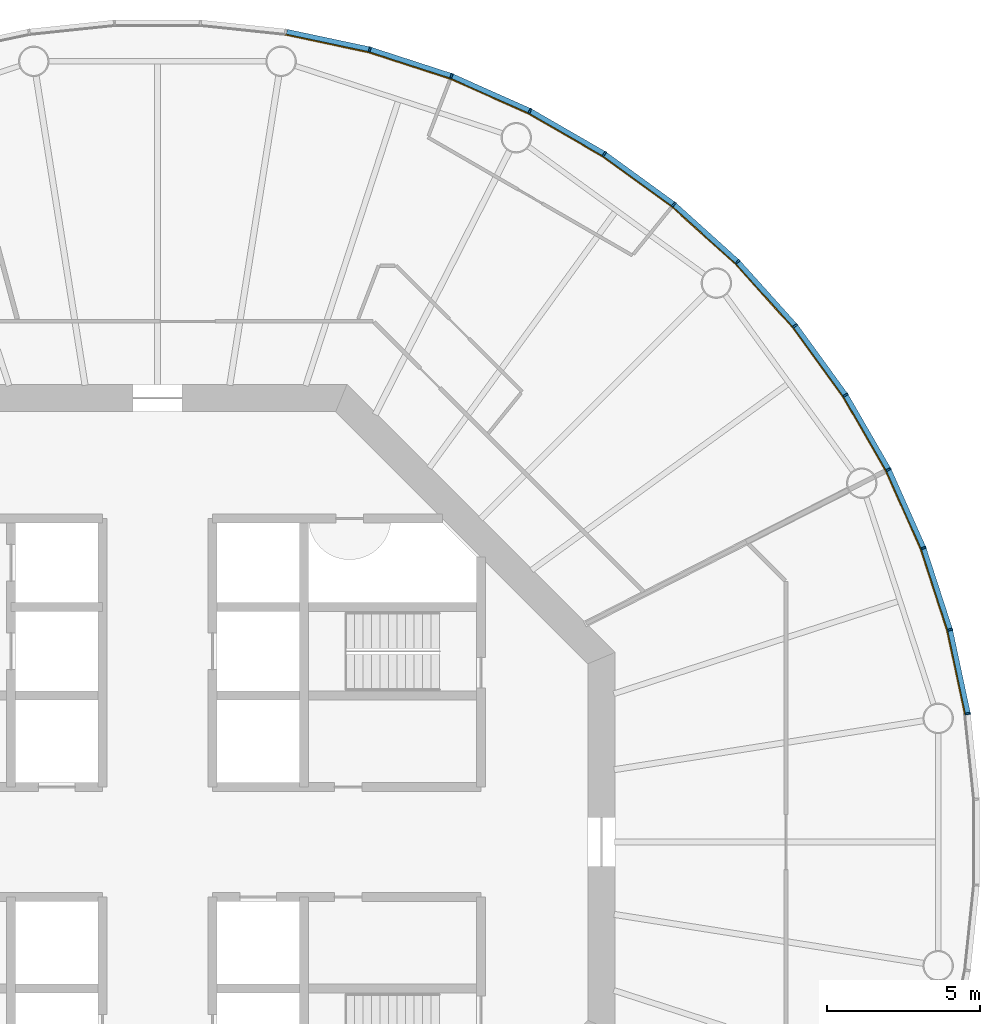
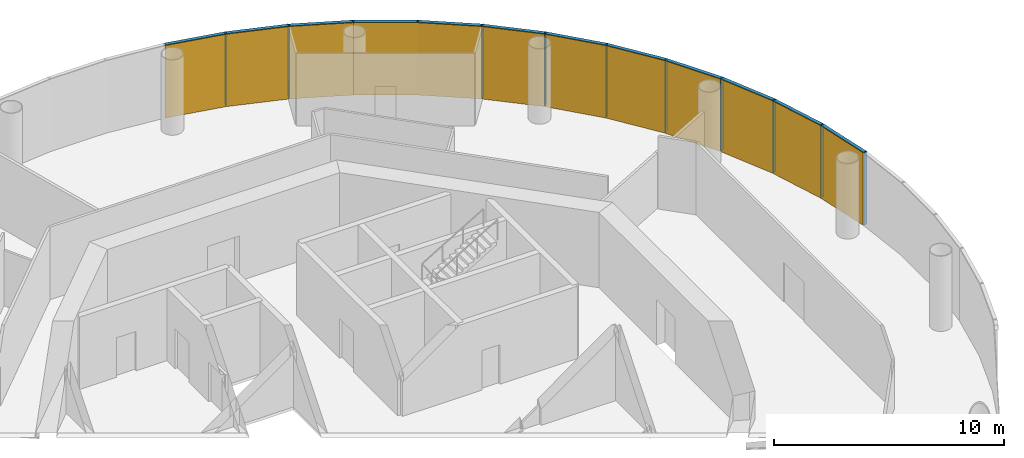
# One storey, part 11 of 12: 24 members, 4 curtain walls.
"""IFC4 building model written with IfcOpenShell, lengths in metres."""

from ifc_helpers import new_model, si_unit, direction, frame, origin, origin_2d, place, context, subcontext, project, spatial, polyline, rectangle, outline, extrude, material, layer, layer_set, material_profile, profile_set, type_object, element, aggregate, save


model = new_model("IFC4")

# Units and contexts
model_context = context("Model", 3, precision=1e-05, world=origin(), true_north=direction((0.0, 1.0)))
body_context = subcontext(model_context, "Body", "Model", "MODEL_VIEW")
ifc_project = project(units=[si_unit("LENGTHUNIT", "METRE"), si_unit("AREAUNIT", "SQUARE_METRE"), si_unit("VOLUMEUNIT", "CUBIC_METRE"), si_unit("PLANEANGLEUNIT", "RADIAN"), si_unit("MASSUNIT", "GRAM", prefix="KILO")], contexts=[model_context])

# Member
ifc_material_1 = material(Name="Anodised aluminium", Category="aluminium")
ifc_material_profile_1 = material_profile(ifc_material_1, rectangle(XDim=0.06005859375, YDim=0.169921875, at=origin_2d()), Name="Mullion 60 x 170 mm anodised aluminium")
ifc_profile_set_1 = profile_set([ifc_material_profile_1], Name="Anodised aluminium")
member_type_1 = type_object("IfcMemberType", Name="Mullion 60 x 170 mm anodised aluminium", PredefinedType="MULLION", material=ifc_profile_set_1)
site_placement = place(None, origin())
building_placement = place(site_placement, origin())
storey_placement = place(building_placement, frame((0.0, 0.0, 222.0)))
member_1_placement = place(storey_placement, frame((116.553955078125, 84.205810546875, 0.0), z_axis=(0.0, 0.0, 1.0), x_axis=(-0.15643446504, 0.987688340595, 0.0)))
member_1 = element("IfcMember", 1, at=member_1_placement, type_object=member_type_1, Name="MULLION L51-00", PredefinedType="MULLION", context=body_context, shape_type="SweptSolid", body=[
    extrude(rectangle(XDim=0.06005859375, YDim=0.169921875, at=origin_2d()), origin(), (0.0, 0.0, 1.0), 3.85009765625),
])

member_2_placement = place(storey_placement, frame((115.968994140625, 86.958251953125, 0.0), z_axis=(0.0, 0.0, 1.0), x_axis=(-0.258819045103, 0.965925826289, 0.0)))
member_2 = element("IfcMember", 2, at=member_2_placement, type_object=member_type_1, Name="MULLION L51-01", PredefinedType="MULLION", context=body_context, shape_type="SweptSolid", body=[
    extrude(rectangle(XDim=0.06005859375, YDim=0.169921875, at=origin_2d()), origin(), (0.0, 0.0, 1.0), 3.85009765625),
])

member_3_placement = place(storey_placement, frame((115.099365234375, 89.634765625, 0.0), z_axis=(0.0, 0.0, 1.0), x_axis=(-0.358367949545, 0.933580426497, 0.0)))
member_3 = element("IfcMember", 3, at=member_3_placement, type_object=member_type_1, Name="MULLION L51-02", PredefinedType="MULLION", context=body_context, shape_type="SweptSolid", body=[
    extrude(rectangle(XDim=0.06005859375, YDim=0.169921875, at=origin_2d()), origin(), (0.0, 0.0, 1.0), 3.85009765625),
])

member_4_placement = place(storey_placement, frame((113.95458984375, 92.20556640625, 0.0), z_axis=(0.0, 0.0, 1.0), x_axis=(-0.45399049974, 0.891006524188, 0.0)))
member_4 = element("IfcMember", 4, at=member_4_placement, type_object=member_type_1, Name="MULLION L51-03", PredefinedType="MULLION", context=body_context, shape_type="SweptSolid", body=[
    extrude(rectangle(XDim=0.06005859375, YDim=0.169921875, at=origin_2d()), origin(), (0.0, 0.0, 1.0), 3.85009765625),
])

member_5_placement = place(storey_placement, frame((112.547607421875, 94.642578125, 0.0), z_axis=(0.0, 0.0, 1.0), x_axis=(-0.544639035015, 0.838670567945, 0.0)))
member_5 = element("IfcMember", 5, at=member_5_placement, type_object=member_type_1, Name="MULLION L51-04", PredefinedType="MULLION", context=body_context, shape_type="SweptSolid", body=[
    extrude(rectangle(XDim=0.06005859375, YDim=0.169921875, at=origin_2d()), origin(), (0.0, 0.0, 1.0), 3.85009765625),
])

member_6_placement = place(storey_placement, frame((110.8935546875, 96.919189453125, 0.0), z_axis=(0.0, 0.0, 1.0), x_axis=(-0.62932039105, 0.777145961457, 0.0)))
member_6 = element("IfcMember", 6, at=member_6_placement, type_object=member_type_1, Name="MULLION L51-05", PredefinedType="MULLION", context=body_context, shape_type="SweptSolid", body=[
    extrude(rectangle(XDim=0.06005859375, YDim=0.169921875, at=origin_2d()), origin(), (0.0, 0.0, 1.0), 3.85009765625),
])

member_7_placement = place(storey_placement, frame((109.010498046875, 99.010498046875, 0.0), z_axis=(0.0, 0.0, 1.0), x_axis=(-0.707106781187, 0.707106781187, 0.0)))
member_7 = element("IfcMember", 7, at=member_7_placement, type_object=member_type_1, Name="MULLION L51-06", PredefinedType="MULLION", context=body_context, shape_type="SweptSolid", body=[
    extrude(rectangle(XDim=0.06005859375, YDim=0.169921875, at=origin_2d()), origin(), (0.0, 0.0, 1.0), 3.85009765625),
])

member_8_placement = place(storey_placement, frame((106.919189453125, 100.8935546875, 0.0), z_axis=(0.0, 0.0, 1.0), x_axis=(-0.777145961457, 0.62932039105, 0.0)))
member_8 = element("IfcMember", 8, at=member_8_placement, type_object=member_type_1, Name="MULLION L51-07", PredefinedType="MULLION", context=body_context, shape_type="SweptSolid", body=[
    extrude(rectangle(XDim=0.06005859375, YDim=0.169921875, at=origin_2d()), origin(), (0.0, 0.0, 1.0), 3.85009765625),
])

member_9_placement = place(storey_placement, frame((104.642578125, 102.547607421875, 0.0), z_axis=(0.0, 0.0, 1.0), x_axis=(-0.838670567945, 0.544639035015, 0.0)))
member_9 = element("IfcMember", 9, at=member_9_placement, type_object=member_type_1, Name="MULLION L51-08", PredefinedType="MULLION", context=body_context, shape_type="SweptSolid", body=[
    extrude(rectangle(XDim=0.06005859375, YDim=0.169921875, at=origin_2d()), origin(), (0.0, 0.0, 1.0), 3.85009765625),
])

member_10_placement = place(storey_placement, frame((102.20556640625, 103.95458984375, 0.0), z_axis=(0.0, 0.0, 1.0), x_axis=(-0.891006524188, 0.45399049974, 0.0)))
member_10 = element("IfcMember", 10, at=member_10_placement, type_object=member_type_1, Name="MULLION L51-09", PredefinedType="MULLION", context=body_context, shape_type="SweptSolid", body=[
    extrude(rectangle(XDim=0.06005859375, YDim=0.169921875, at=origin_2d()), origin(), (0.0, 0.0, 1.0), 3.85009765625),
])

member_11_placement = place(storey_placement, frame((99.634765625, 105.099365234375, 0.0), z_axis=(0.0, 0.0, 1.0), x_axis=(-0.933580426497, 0.358367949545, 0.0)))
member_11 = element("IfcMember", 11, at=member_11_placement, type_object=member_type_1, Name="MULLION L51-10", PredefinedType="MULLION", context=body_context, shape_type="SweptSolid", body=[
    extrude(rectangle(XDim=0.06005859375, YDim=0.169921875, at=origin_2d()), origin(), (0.0, 0.0, 1.0), 3.85009765625),
])

member_12_placement = place(storey_placement, frame((96.958251953125, 105.968994140625, 0.0), z_axis=(0.0, 0.0, 1.0), x_axis=(-0.965925826289, 0.258819045103, 0.0)))
member_12 = element("IfcMember", 12, at=member_12_placement, type_object=member_type_1, Name="MULLION L51-11", PredefinedType="MULLION", context=body_context, shape_type="SweptSolid", body=[
    extrude(rectangle(XDim=0.06005859375, YDim=0.169921875, at=origin_2d()), origin(), (0.0, 0.0, 1.0), 3.85009765625),
])

ifc_material_2 = material(Name="Anodised aluminium", Category="aluminium")
ifc_material_profile_2 = material_profile(ifc_material_2, rectangle(XDim=0.169921875, YDim=0.1650390625, at=origin_2d()), Name="Transom 165 x 170 mm anodised aluminium")
ifc_profile_set_2 = profile_set([ifc_material_profile_2], Name="Anodised aluminium")
member_type_2 = type_object("IfcMemberType", Name="Transom 165 x 170 mm anodised aluminium", PredefinedType="USERDEFINED", material=ifc_profile_set_2)
member_13_placement = place(storey_placement, frame((116.546875, 84.239501953125, 3.767578125), z_axis=(-0.207937468562, 0.97814212115, 0.0), x_axis=(-0.97814212115, -0.207937468562, 0.0)))
member_13 = element("IfcMember", 13, at=member_13_placement, type_object=member_type_2, Name="TRANSOM L51-00", ObjectType="TRANSOM", PredefinedType="USERDEFINED", context=body_context, shape_type="SweptSolid", body=[
    extrude(rectangle(XDim=0.169921875, YDim=0.1650390625, at=origin_2d()), origin(), (0.0, 0.0, 1.0), 2.7451171875),
])

member_14_placement = place(storey_placement, frame((115.95849609375, 86.9912109375, 3.767578125), z_axis=(-0.309041831781, 0.951048445774, 0.0), x_axis=(-0.951048445774, -0.309041831781, 0.0)))
member_14 = element("IfcMember", 14, at=member_14_placement, type_object=member_type_2, Name="TRANSOM L51-01", ObjectType="TRANSOM", PredefinedType="USERDEFINED", context=body_context, shape_type="SweptSolid", body=[
    extrude(rectangle(XDim=0.169921875, YDim=0.1650390625, at=origin_2d()), origin(), (0.0, 0.0, 1.0), 2.7451171875),
])

member_15_placement = place(storey_placement, frame((115.08544921875, 89.666259765625, 3.767578125), z_axis=(-0.406781987391, 0.913525267704, 0.0), x_axis=(-0.913525267704, -0.406781987391, 0.0)))
member_15 = element("IfcMember", 15, at=member_15_placement, type_object=member_type_2, Name="TRANSOM L51-02", ObjectType="TRANSOM", PredefinedType="USERDEFINED", context=body_context, shape_type="SweptSolid", body=[
    extrude(rectangle(XDim=0.169921875, YDim=0.1650390625, at=origin_2d()), origin(), (0.0, 0.0, 1.0), 2.7451171875),
])

member_16_placement = place(storey_placement, frame((113.9375, 92.2353515625, 3.767578125), z_axis=(-0.49998419723, 0.866034527326, 0.0), x_axis=(-0.866034527326, -0.49998419723, 0.0)))
member_16 = element("IfcMember", 16, at=member_16_placement, type_object=member_type_2, Name="TRANSOM L51-03", ObjectType="TRANSOM", PredefinedType="USERDEFINED", context=body_context, shape_type="SweptSolid", body=[
    extrude(rectangle(XDim=0.169921875, YDim=0.1650390625, at=origin_2d()), origin(), (0.0, 0.0, 1.0), 2.7451171875),
])

member_17_placement = place(storey_placement, frame((112.527587890625, 94.670654296875, 3.767578125), z_axis=(-0.587864947412, 0.808959086484, 0.0), x_axis=(-0.808959086484, -0.587864947412, 0.0)))
member_17 = element("IfcMember", 17, at=member_17_placement, type_object=member_type_2, Name="TRANSOM L51-04", ObjectType="TRANSOM", PredefinedType="USERDEFINED", context=body_context, shape_type="SweptSolid", body=[
    extrude(rectangle(XDim=0.169921875, YDim=0.1650390625, at=origin_2d()), origin(), (0.0, 0.0, 1.0), 2.7451171875),
])

member_18_placement = place(storey_placement, frame((110.87060546875, 96.945068359375, 3.767578125), z_axis=(-0.669141598561, 0.743134927907, 0.0), x_axis=(-0.743134927907, -0.669141598561, 0.0)))
member_18 = element("IfcMember", 18, at=member_18_placement, type_object=member_type_2, Name="TRANSOM L51-05", ObjectType="TRANSOM", PredefinedType="USERDEFINED", context=body_context, shape_type="SweptSolid", body=[
    extrude(rectangle(XDim=0.169921875, YDim=0.1650390625, at=origin_2d()), origin(), (0.0, 0.0, 1.0), 2.7451171875),
])

member_19_placement = place(storey_placement, frame((108.985107421875, 99.03369140625, 3.767578125), z_axis=(-0.743134927907, 0.669141598561, 0.0), x_axis=(-0.669141598561, -0.743134927907, 0.0)))
member_19 = element("IfcMember", 19, at=member_19_placement, type_object=member_type_2, Name="TRANSOM L51-06", ObjectType="TRANSOM", PredefinedType="USERDEFINED", context=body_context, shape_type="SweptSolid", body=[
    extrude(rectangle(XDim=0.169921875, YDim=0.1650390625, at=origin_2d()), origin(), (0.0, 0.0, 1.0), 2.7451171875),
])

member_20_placement = place(storey_placement, frame((106.891357421875, 100.913818359375, 3.767578125), z_axis=(-0.808959086484, 0.587864947412, 0.0), x_axis=(-0.587864947412, -0.808959086484, 0.0)))
member_20 = element("IfcMember", 20, at=member_20_placement, type_object=member_type_2, Name="TRANSOM L51-07", ObjectType="TRANSOM", PredefinedType="USERDEFINED", context=body_context, shape_type="SweptSolid", body=[
    extrude(rectangle(XDim=0.169921875, YDim=0.1650390625, at=origin_2d()), origin(), (0.0, 0.0, 1.0), 2.7451171875),
])

member_21_placement = place(storey_placement, frame((104.61279296875, 102.56494140625, 3.767578125), z_axis=(-0.866034527326, 0.49998419723, 0.0), x_axis=(-0.49998419723, -0.866034527326, 0.0)))
member_21 = element("IfcMember", 21, at=member_21_placement, type_object=member_type_2, Name="TRANSOM L51-08", ObjectType="TRANSOM", PredefinedType="USERDEFINED", context=body_context, shape_type="SweptSolid", body=[
    extrude(rectangle(XDim=0.169921875, YDim=0.1650390625, at=origin_2d()), origin(), (0.0, 0.0, 1.0), 2.7451171875),
])

member_22_placement = place(storey_placement, frame((102.174072265625, 103.96875, 3.767578125), z_axis=(-0.913525267704, 0.406781987391, 0.0), x_axis=(-0.406781987391, -0.913525267704, 0.0)))
member_22 = element("IfcMember", 22, at=member_22_placement, type_object=member_type_2, Name="TRANSOM L51-09", ObjectType="TRANSOM", PredefinedType="USERDEFINED", context=body_context, shape_type="SweptSolid", body=[
    extrude(rectangle(XDim=0.169921875, YDim=0.1650390625, at=origin_2d()), origin(), (0.0, 0.0, 1.0), 2.7451171875),
])

member_23_placement = place(storey_placement, frame((99.60205078125, 105.110107421875, 3.767578125), z_axis=(-0.951048445774, 0.309041831781, 0.0), x_axis=(-0.309041831781, -0.951048445774, 0.0)))
member_23 = element("IfcMember", 23, at=member_23_placement, type_object=member_type_2, Name="TRANSOM L51-10", ObjectType="TRANSOM", PredefinedType="USERDEFINED", context=body_context, shape_type="SweptSolid", body=[
    extrude(rectangle(XDim=0.169921875, YDim=0.1650390625, at=origin_2d()), origin(), (0.0, 0.0, 1.0), 2.7451171875),
])

member_24_placement = place(storey_placement, frame((96.924560546875, 105.97607421875, 3.767578125), z_axis=(-0.97814212115, 0.207937468562, 0.0), x_axis=(-0.207937468562, -0.97814212115, 0.0)))
member_24 = element("IfcMember", 24, at=member_24_placement, type_object=member_type_2, Name="TRANSOM L51-11", ObjectType="TRANSOM", PredefinedType="USERDEFINED", context=body_context, shape_type="SweptSolid", body=[
    extrude(rectangle(XDim=0.169921875, YDim=0.1650390625, at=origin_2d()), origin(), (0.0, 0.0, 1.0), 2.7451171875),
])

# Site, building, storey
site = spatial("IfcSite", under=ifc_project, at=site_placement, CompositionType="ELEMENT")
building = spatial("IfcBuilding", under=site, at=building_placement, Name="Entoto Ring Tower", CompositionType="ELEMENT")
storey = spatial("IfcBuildingStorey", under=building, at=storey_placement, Name="L51", CompositionType="ELEMENT", Elevation=222.0)

# Curtain wall
ifc_material_3 = material(Name="Clear low-iron glass", Category="glass")
ifc_layer = layer(ifc_material_3, 0.031982421875)
ifc_layer_set = layer_set([ifc_layer], Name="Clear low-iron glass")
curtain_wall_type = type_object("IfcCurtainWallType", Name="Curtain wall system CW4 glazing 32 mm", PredefinedType="NOTDEFINED", material=ifc_layer_set)
curtain_wall_1_placement = place(storey_placement, origin())
curtain_wall_1 = element("IfcCurtainWall", 25, at=curtain_wall_1_placement, inside=storey, type_object=curtain_wall_type, Name="CW4 L51-01", PredefinedType="NOTDEFINED", context=body_context, shape_type="SweptSolid", body=[
    extrude(outline(polyline([(116.469970703125, 84.1923828125), (115.88671875, 86.936279296875), (115.02001953125, 89.604248046875), (113.87890625, 92.1669921875), (113.850341796875, 92.15234375), (114.989990234375, 89.5927734375), (115.85595703125, 86.927978515625), (116.4384765625, 84.1875), (116.469970703125, 84.1923828125)])), origin(), (0.0, 0.0, 1.0), 3.85009765625),
])

aggregate(curtain_wall_1, [member_1, member_2, member_3, member_13, member_14, member_15])

curtain_wall_2_placement = place(storey_placement, origin())
curtain_wall_2 = element("IfcCurtainWall", 26, at=curtain_wall_2_placement, inside=storey, type_object=curtain_wall_type, Name="CW4 L51-02", PredefinedType="NOTDEFINED", context=body_context, shape_type="SweptSolid", body=[
    extrude(outline(polyline([(113.87890625, 92.1669921875), (112.476318359375, 94.596435546875), (110.827392578125, 96.86572265625), (108.950439453125, 98.950439453125), (108.927734375, 98.927734375), (110.802490234375, 96.845703125), (112.449462890625, 94.578857421875), (113.850341796875, 92.15234375), (113.87890625, 92.1669921875)])), origin(), (0.0, 0.0, 1.0), 3.85009765625),
])

aggregate(curtain_wall_2, [member_4, member_5, member_6, member_16, member_17, member_18])

curtain_wall_3_placement = place(storey_placement, origin())
curtain_wall_3 = element("IfcCurtainWall", 27, at=curtain_wall_3_placement, inside=storey, type_object=curtain_wall_type, Name="CW4 L51-03", PredefinedType="NOTDEFINED", context=body_context, shape_type="SweptSolid", body=[
    extrude(outline(polyline([(108.950439453125, 98.950439453125), (106.86572265625, 100.827392578125), (104.596435546875, 102.476318359375), (102.1669921875, 103.87890625), (102.15234375, 103.850341796875), (104.578857421875, 102.449462890625), (106.845703125, 100.802490234375), (108.927734375, 98.927734375), (108.950439453125, 98.950439453125)])), origin(), (0.0, 0.0, 1.0), 3.85009765625),
])

aggregate(curtain_wall_3, [member_7, member_8, member_9, member_19, member_20, member_21])

curtain_wall_4_placement = place(storey_placement, origin())
curtain_wall_4 = element("IfcCurtainWall", 28, at=curtain_wall_4_placement, inside=storey, type_object=curtain_wall_type, Name="CW4 L51-04", PredefinedType="NOTDEFINED", context=body_context, shape_type="SweptSolid", body=[
    extrude(outline(polyline([(102.1669921875, 103.87890625), (99.604248046875, 105.02001953125), (96.936279296875, 105.88671875), (94.1923828125, 106.469970703125), (94.1875, 106.4384765625), (96.927978515625, 105.85595703125), (99.5927734375, 104.989990234375), (102.15234375, 103.850341796875), (102.1669921875, 103.87890625)])), origin(), (0.0, 0.0, 1.0), 3.85009765625),
])

aggregate(curtain_wall_4, [member_10, member_11, member_12, member_22, member_23, member_24])

save(model, "model.ifc")
